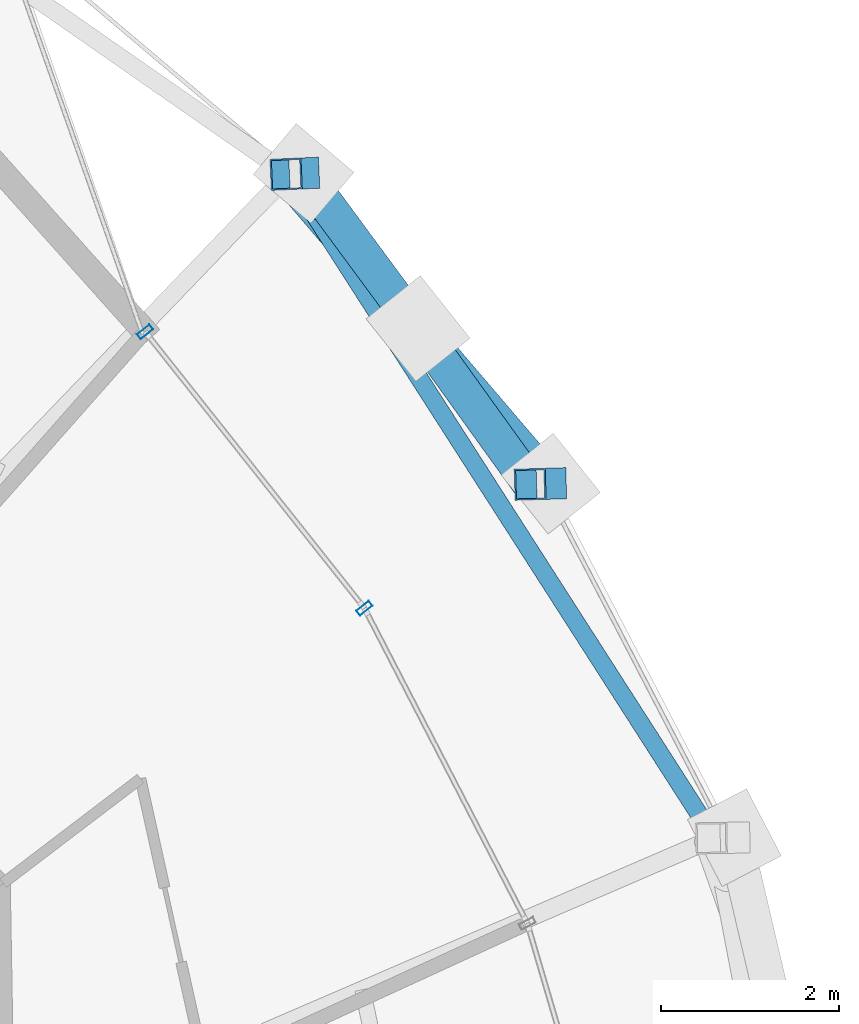
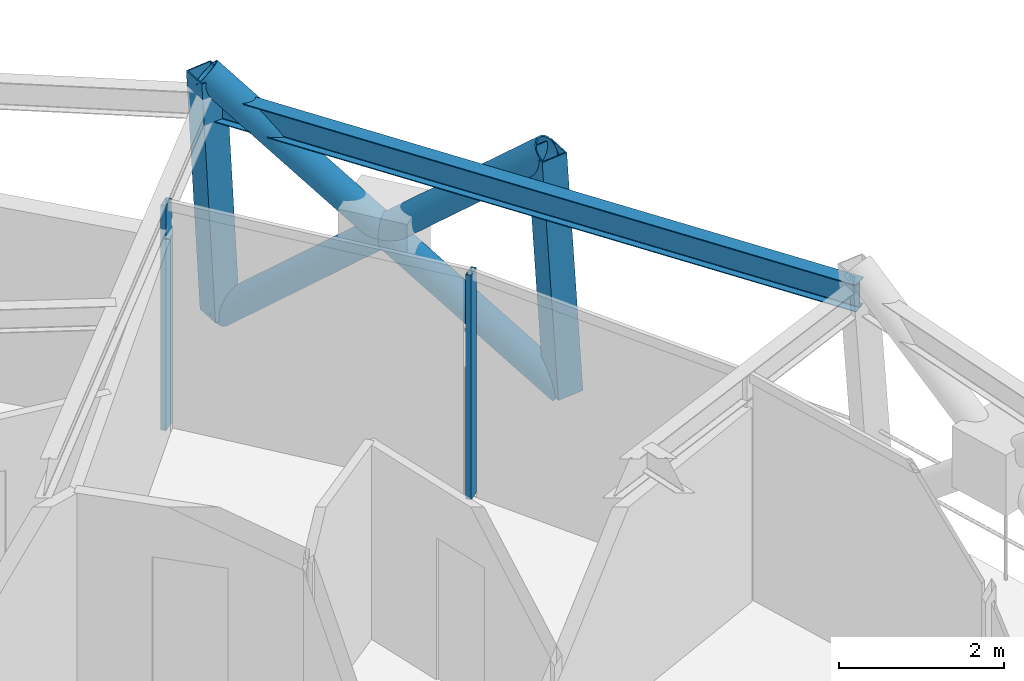
# One storey, part 8 of 15: 7 members, 1 beam, 1 element without a shape of its own.
"""IFC4 building model written with IfcOpenShell, lengths in metres."""

from ifc_helpers import new_model, si_unit, direction, frame, origin, origin_2d, place, context, subcontext, project, spatial, hollow_rectangle, hollow_circle, i_section, extrude, material, layer, layer_set, material_profile, profile_set, type_object, element, aggregate, save


model = new_model("IFC4")

# Units and contexts
model_context = context("Model", 3, precision=1e-05, world=origin(), true_north=direction((0.0, 1.0)))
body_context = subcontext(model_context, "Body", "Model", "MODEL_VIEW")
ifc_project = project(units=[si_unit("LENGTHUNIT", "METRE"), si_unit("AREAUNIT", "SQUARE_METRE"), si_unit("VOLUMEUNIT", "CUBIC_METRE"), si_unit("PLANEANGLEUNIT", "RADIAN"), si_unit("MASSUNIT", "GRAM", prefix="KILO")], contexts=[model_context])

# Site, building, storey
site_placement = place(None, origin())
site = spatial("IfcSite", under=ifc_project, at=site_placement, CompositionType="ELEMENT")
building_placement = place(site_placement, origin())
building = spatial("IfcBuilding", under=site, at=building_placement, Name="Veldorina Hangang Commons", CompositionType="ELEMENT")
storey_placement = place(building_placement, frame((0.0, 0.0, 258.0)))
storey = spatial("IfcBuildingStorey", under=building, at=storey_placement, Name="L67", CompositionType="ELEMENT", Elevation=258.0)

# Beam
ifc_material_1 = material(Name="Steel SM355-TMC", Category="steel")
ifc_material_profile_1 = material_profile(ifc_material_1, i_section(OverallWidth=0.199951171875, OverallDepth=0.39990234375, WebThickness=0.008056640625, FlangeThickness=0.012939453125, FilletRadius=0.012939453125, at=origin_2d()), Name="H-400x200x8x13")
ifc_profile_set_1 = profile_set([ifc_material_profile_1], Name="Steel SM355-TMC")
beam_type = type_object("IfcBeamType", Name="BM-RB400", PredefinedType="BEAM", material=ifc_profile_set_1)
beam_placement = place(storey_placement, frame((52.426025390625, 32.810302734375, 3.159912109375), z_axis=(-0.540026031638, 0.841648314413, 0.0), x_axis=(-0.841648314413, -0.540026031638, 0.0)))
element("IfcBeam", 1, at=beam_placement, inside=storey, type_object=beam_type, Name="L67 perimeter hoop ring beam 02", PredefinedType="BEAM", context=body_context, shape_type="SweptSolid", body=[
    extrude(i_section(OverallWidth=0.199951171875, OverallDepth=0.39990234375, WebThickness=0.008056640625, FlangeThickness=0.012939453125, FilletRadius=0.012939453125, at=origin_2d()), origin(), (0.0, 0.0, 1.0), 8.87451171875),
])

# Curtain wall, members
ifc_material_2 = material(Name="Glass Low-E Selective", Category="glass")
ifc_layer = layer(ifc_material_2, 0.179931640625)
ifc_layer_set = layer_set([ifc_layer], Name="Glass Low-E Selective")
curtain_wall_type = type_object("IfcCurtainWallType", Name="CW-SYS-Z3", PredefinedType="NOTDEFINED", material=ifc_layer_set)
curtain_wall_placement = place(storey_placement, origin())
curtain_wall = element("IfcCurtainWall", 2, at=curtain_wall_placement, inside=storey, type_object=curtain_wall_type, Name="L67 unitised curtain wall CW-L67-R2", PredefinedType="NOTDEFINED")
ifc_material_3 = material(Name="Aluminium Anodized AA6063-T6", Category="aluminium")
ifc_material_profile_2 = material_profile(ifc_material_3, hollow_rectangle(XDim=0.070068359375, YDim=0.179931640625, WallThickness=0.00390625, at=origin_2d()), Name="ALU-RHS-180x70x4")
ifc_profile_set_2 = profile_set([ifc_material_profile_2], Name="Aluminium Anodized AA6063-T6")
member_type_1 = type_object("IfcMemberType", Name="CW-MUL-180", PredefinedType="MULLION", material=ifc_profile_set_2)
member_1_placement = place(storey_placement, frame((48.490478515625, 35.396484375, 0.0), z_axis=(0.0, 0.0, 1.0), x_axis=(-0.621571708307, 0.783357269343, 0.0)))
member_1 = element("IfcMember", 3, at=member_1_placement, type_object=member_type_1, Name="CW-L67-R2 vertical mullion 5", PredefinedType="MULLION", context=body_context, shape_type="SweptSolid", body=[
    extrude(hollow_rectangle(XDim=0.070068359375, YDim=0.179931640625, WallThickness=0.00390625, at=origin_2d()), origin(), (0.0, 0.0, 1.0), 3.320068359375),
])
member_2_placement = place(storey_placement, frame((46.02392578125, 38.505126953125, 0.0), z_axis=(0.0, 0.0, 1.0), x_axis=(0.621571708307, -0.783357269343, 0.0)))
member_2 = element("IfcMember", 4, at=member_2_placement, type_object=member_type_1, Name="CW-L67-R2 vertical mullion 6", PredefinedType="MULLION", context=body_context, shape_type="SweptSolid", body=[
    extrude(hollow_rectangle(XDim=0.070068359375, YDim=0.179931640625, WallThickness=0.00390625, at=origin_2d()), origin(), (0.0, 0.0, 1.0), 3.320068359375),
])
aggregate(curtain_wall, [member_1, member_2])

# Members
ifc_material_profile_3 = material_profile(ifc_material_1, hollow_circle(Radius=0.199951171875, WallThickness=0.02001953125, at=origin_2d()), Name="CHS-400x20")
ifc_profile_set_3 = profile_set([ifc_material_profile_3], Name="Steel SM355-TMC")
member_type_2 = type_object("IfcMemberType", Name="DG-CHS400", PredefinedType="BRACE", material=ifc_profile_set_3)
member_3_placement = place(storey_placement, frame((50.585693359375, 36.796630859375, 0.0), z_axis=(-0.510844346548, 0.597633406572, 0.617958222657), x_axis=(-0.760143848948, -0.64975482215, 0.0)))
element("IfcMember", 5, at=member_3_placement, inside=storey, type_object=member_type_2, Name="L67 continuous perimeter diagrid brace 03", PredefinedType="BRACE", context=body_context, shape_type="SweptSolid", body=[
    extrude(hollow_circle(Radius=0.199951171875, WallThickness=0.02001953125, at=origin_2d()), origin(), (0.0, 0.0, 1.0), 5.82568359375),
])
member_4_placement = place(storey_placement, frame((47.805908203125, 40.287109375, 0.0), z_axis=(0.456438552221, -0.618506686498, 0.639619673558), x_axis=(0.804622738502, 0.5937863662, 0.0)))
element("IfcMember", 6, at=member_4_placement, inside=storey, type_object=member_type_2, Name="L67 split perimeter diagrid lower brace 04", PredefinedType="BRACE", context=body_context, shape_type="SweptSolid", body=[
    extrude(hollow_circle(Radius=0.199951171875, WallThickness=0.02001953125, at=origin_2d()), origin(), (0.0, 0.0, 1.0), 2.821533203125),
])
member_5_placement = place(storey_placement, frame((49.09375, 38.5419921875, 1.8046875), z_axis=(0.44910009396, -0.624044796583, 0.639435061177), x_axis=(0.811665170007, 0.584122976604, 0.0)))
element("IfcMember", 7, at=member_5_placement, inside=storey, type_object=member_type_2, Name="L67 split perimeter diagrid upper brace 04", PredefinedType="BRACE", context=body_context, shape_type="SweptSolid", body=[
    extrude(hollow_circle(Radius=0.199951171875, WallThickness=0.02001953125, at=origin_2d()), origin(), (0.0, 0.0, 1.0), 2.807861328125),
])
ifc_material_profile_4 = material_profile(ifc_material_1, hollow_rectangle(XDim=0.35009765625, YDim=0.35009765625, WallThickness=0.01611328125, at=origin_2d()), Name="SHS-350x350x16")
ifc_profile_set_4 = profile_set([ifc_material_profile_4], Name="Steel SM355-TMC")
member_type_3 = type_object("IfcMemberType", Name="STR-SHS350", PredefinedType="STRUT", material=ifc_profile_set_4)
member_6_placement = place(storey_placement, frame((50.585693359375, 36.796630859375, 0.0), z_axis=(-0.064021267573, -0.001894921239, 0.997946735338), x_axis=(0.029585352235, -0.999562257657, 0.0)))
element("IfcMember", 8, at=member_6_placement, inside=storey, type_object=member_type_3, Name="L67 perimeter ring node post 03", PredefinedType="STRUT", context=body_context, shape_type="SweptSolid", body=[
    extrude(hollow_rectangle(XDim=0.35009765625, YDim=0.35009765625, WallThickness=0.01611328125, at=origin_2d()), origin(), (0.0, 0.0, 1.0), 3.607421875),
])
member_7_placement = place(storey_placement, frame((47.805908203125, 40.287109375, 0.0), z_axis=(-0.05444223604, -0.002437712061, 0.998513946069), x_axis=(0.044731300944, -0.998999054412, 0.0)))
element("IfcMember", 9, at=member_7_placement, inside=storey, type_object=member_type_3, Name="L67 perimeter ring node post 04", PredefinedType="STRUT", context=body_context, shape_type="SweptSolid", body=[
    extrude(hollow_rectangle(XDim=0.35009765625, YDim=0.35009765625, WallThickness=0.01611328125, at=origin_2d()), origin(), (0.0, 0.0, 1.0), 3.60546875),
])

save(model, "model.ifc")
